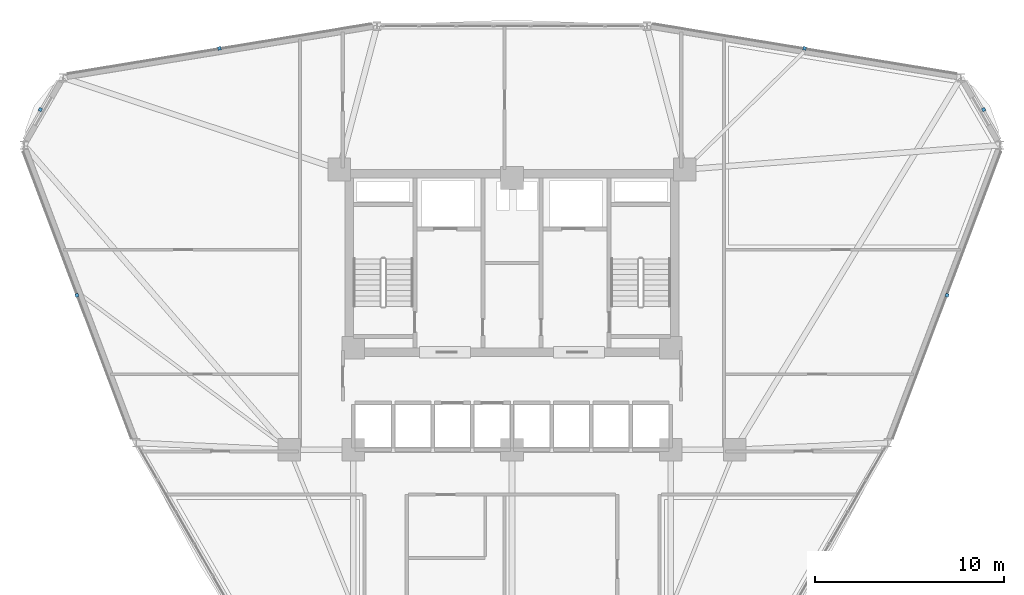
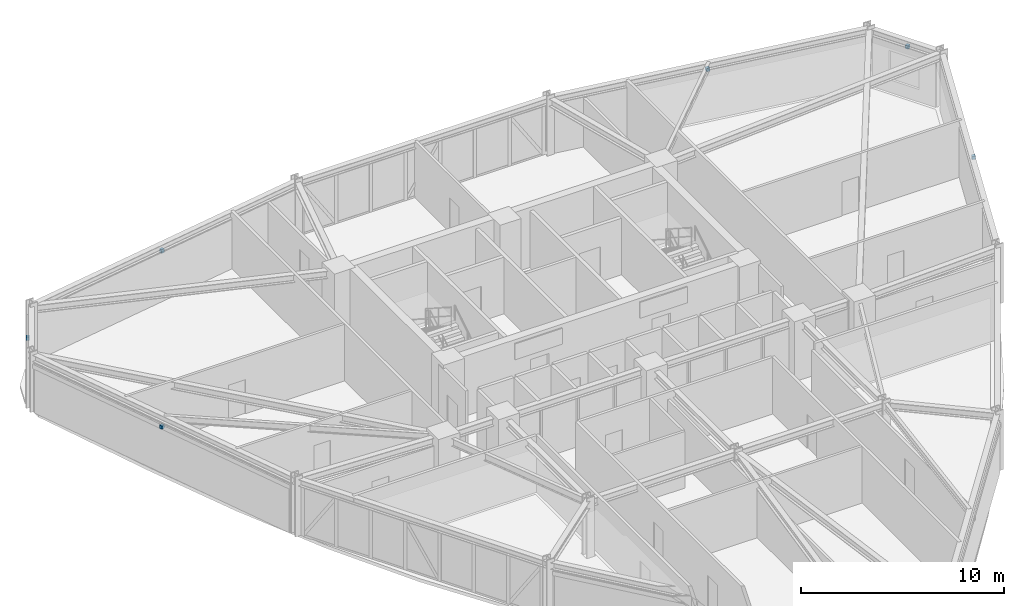
# One storey, part 15 of 17: 6 discrete accessories.
"""IFC4 building model written with IfcOpenShell, lengths in metres."""

import ifcopenshell
import ifcopenshell.guid

model = None  # the IFC model being written
_history = None  # IfcOwnerHistory: only IFC2X3 demands one
_inside = {}  # id of a spatial element -> (the spatial element, [elements in it])
_under = {}  # id of a project, library or spatial element -> (it, [spatial elements below it])
_declared = {}  # id of a project -> (the project, [libraries it declares])
_typed = {}  # id of a type object -> (the type object, [elements of that type])
_made_of = {}  # id of a material, layer set ... -> (it, [elements and type objects made of it])


def new_model(schema):
    """Start an empty IFC model of exactly this schema.

    Asked for "IFC4X3", IfcOpenShell would pick the latest addendum, in which some entities
    have other attributes; the version numbers below select the first issue.
    IFC2X3 requires an IfcOwnerHistory on every rooted entity: one is made here for all.
    """
    global model, _history
    if schema == "IFC4X3":
        model = ifcopenshell.file(schema_version=(4, 3, 0, 0))
    else:
        model = ifcopenshell.file(schema=schema)
    _inside.clear()
    _under.clear()
    _declared.clear()
    _typed.clear()
    _made_of.clear()
    _history = None
    if model.schema == "IFC2X3":
        org = make("IfcOrganization", Name="unknown")
        user = make(
            "IfcPersonAndOrganization",
            ThePerson=make("IfcPerson", FamilyName="unknown"),
            TheOrganization=org,
        )
        app = make(
            "IfcApplication",
            ApplicationDeveloper=org,
            Version="unknown",
            ApplicationFullName="unknown",
            ApplicationIdentifier="unknown",
        )
        _history = make(
            "IfcOwnerHistory",
            OwningUser=user,
            OwningApplication=app,
            ChangeAction="ADDED",
            CreationDate=0,
        )
    return model


def make(cls, **values):
    """One entity of the class cls with the attributes given. An attribute that is None is left unset."""
    return model.create_entity(
        cls, **{name: value for name, value in values.items() if value is not None}
    )


def rooted(cls, **values):
    """An entity with a GlobalId (a new one), such as an element, a storey or a relation."""
    return make(cls, GlobalId=ifcopenshell.guid.new(), OwnerHistory=_history, **values)


def si_unit(unit_type, name, prefix=None):
    """IfcSIUnit, for example si_unit("LENGTHUNIT", "METRE", prefix="MILLI")."""
    return make("IfcSIUnit", UnitType=unit_type, Prefix=prefix, Name=name)


def derived_unit(unit_type, elements):
    """IfcDerivedUnit: a product of units, each with its exponent."""
    return make(
        "IfcDerivedUnit",
        Elements=[
            make("IfcDerivedUnitElement", Unit=unit, Exponent=power)
            for unit, power in elements
        ],
        UnitType=unit_type,
    )


def assignment(units):
    """IfcUnitAssignment: the units of a project."""
    return None if units is None else make("IfcUnitAssignment", Units=units)


def point(xyz):
    """IfcCartesianPoint."""
    return None if xyz is None else make("IfcCartesianPoint", Coordinates=xyz)


def direction(xyz):
    """IfcDirection."""
    return None if xyz is None else make("IfcDirection", DirectionRatios=xyz)


def frame(location, z_axis=None, x_axis=None):
    """IfcAxis2Placement3D, a coordinate frame: its origin and axes. An axis left out is left unset."""
    return make(
        "IfcAxis2Placement3D",
        Location=point(location),
        Axis=direction(z_axis),
        RefDirection=direction(x_axis),
    )


def frame_2d(location, x_axis=None):
    """IfcAxis2Placement2D, a coordinate frame in the plane: its origin and x axis."""
    return make(
        "IfcAxis2Placement2D", Location=point(location), RefDirection=direction(x_axis)
    )


def origin():
    """The frame at (0, 0, 0) with its axes left unset."""
    return frame((0.0, 0.0, 0.0))


def origin_2d():
    """The frame at (0, 0) in the plane with its x axis left unset."""
    return frame_2d((0.0, 0.0))


def place(relative_to, where):
    """IfcLocalPlacement: puts the frame where relative to a parent placement (None: the world)."""
    return make(
        "IfcLocalPlacement", PlacementRelTo=relative_to, RelativePlacement=where
    )


def context(
    kind, dimensions, precision=None, world=None, true_north=None, identifier=None
):
    """IfcGeometricRepresentationContext, for example the 3D "Model" context."""
    return make(
        "IfcGeometricRepresentationContext",
        ContextIdentifier=identifier,
        ContextType=kind,
        CoordinateSpaceDimension=dimensions,
        Precision=precision,
        WorldCoordinateSystem=world,
        TrueNorth=true_north,
    )


def subcontext(parent, identifier, kind, view, scale=None):
    """IfcGeometricRepresentationSubContext, for example "Body" below "Model"."""
    return make(
        "IfcGeometricRepresentationSubContext",
        ContextIdentifier=identifier,
        ContextType=kind,
        ParentContext=parent,
        TargetScale=scale,
        TargetView=view,
    )


def project(units=None, contexts=None):
    """IfcProject with its units and contexts."""
    return rooted(
        "IfcProject",
        Name="project",
        RepresentationContexts=contexts,
        UnitsInContext=assignment(units),
    )


def spatial(cls, under=None, at=None, **own):
    """A site, building, storey or space (cls), placed at a placement, below another one or the project."""
    s = rooted(cls, ObjectPlacement=at, **own)
    if under is not None:
        _under.setdefault(under.id(), (under, []))[1].append(s)
    return s


def profile(cls, at=None, kind="AREA", **sizes):
    """A parametric profile (cls). Its sizes go by their IFC names, for example OverallWidth=200.0."""
    return make(cls, ProfileType=kind, Position=at, **sizes)


def rectangle(**sizes):
    """IfcRectangleProfileDef."""
    return profile("IfcRectangleProfileDef", **sizes)


def extrude(swept, where, along, depth):
    """IfcExtrudedAreaSolid: the profile swept, set in the frame where, extruded along a direction by depth."""
    return make(
        "IfcExtrudedAreaSolid",
        SweptArea=swept,
        Position=where,
        ExtrudedDirection=direction(along),
        Depth=depth,
    )


def shape(context_of_items, identifier, shape_type, items):
    """IfcShapeRepresentation: the items that make up one representation, for example the "Body"."""
    return make(
        "IfcShapeRepresentation",
        ContextOfItems=context_of_items,
        RepresentationIdentifier=identifier,
        RepresentationType=shape_type,
        Items=items,
    )


def source(mapping_origin, context_of_items, identifier, shape_type, items):
    """IfcRepresentationMap: a shape defined once, which mapped items show again and again."""
    return make(
        "IfcRepresentationMap",
        MappingOrigin=mapping_origin,
        MappedRepresentation=shape(context_of_items, identifier, shape_type, items),
    )


def transform(
    local_origin,
    x_axis=None,
    y_axis=None,
    z_axis=None,
    scale=None,
    scale2=None,
    scale3=None,
    uniform=True,
):
    """IfcCartesianTransformationOperator3D, or its non-uniform kind. x_axis, y_axis, z_axis: its Axis1, 2, 3."""
    if uniform:
        return make(
            "IfcCartesianTransformationOperator3D",
            Axis1=direction(x_axis),
            Axis2=direction(y_axis),
            LocalOrigin=point(local_origin),
            Scale=scale,
            Axis3=direction(z_axis),
        )
    return make(
        "IfcCartesianTransformationOperator3DnonUniform",
        Axis1=direction(x_axis),
        Axis2=direction(y_axis),
        LocalOrigin=point(local_origin),
        Scale=scale,
        Axis3=direction(z_axis),
        Scale2=scale2,
        Scale3=scale3,
    )


def mapped(mapping_source, mapping_target):
    """IfcMappedItem: shows the shape of a source again, moved by a transform."""
    return make(
        "IfcMappedItem", MappingSource=mapping_source, MappingTarget=mapping_target
    )


def material(Name=None, Category=None):
    """IfcMaterial."""
    return make("IfcMaterial", Name=Name, Category=Category)


def made_of(thing, what):
    """Note that an element or type object is made of a material, layer set ...; save() writes the relation."""
    if what is not None:
        _made_of.setdefault(what.id(), (what, []))[1].append(thing)
    return thing


def type_object(cls, material=None, **own):
    """A type object (cls), such as IfcWallType, which elements share."""
    return made_of(rooted(cls, **own), material)


def element(
    cls,
    number,
    at=None,
    inside=None,
    cuts=None,
    type_object=None,
    material=None,
    context=None,
    identifier="Body",
    shape_type=None,
    held_by="IfcProductDefinitionShape",
    body=None,
    shapes=None,
    **own,
):
    """One element of the class cls, such as IfcWall. Its Tag is "e" and its number.

    at: its placement. inside: the storey or other place that contains it. cuts: it is an
    opening in that element (IfcRelVoidsElement). A single representation is given by context,
    identifier, shape_type and body (its items); several are given by shapes. held_by: the class
    of the entity that holds the representations. save() writes the other relations.
    """
    e = rooted(cls, Tag="e%d" % number, ObjectPlacement=at, **own)
    if body is not None:
        shapes = [shape(context, identifier, shape_type, body)]
    if shapes is not None:
        e.Representation = make(held_by, Representations=shapes)
    if inside is not None:
        _inside.setdefault(inside.id(), (inside, []))[1].append(e)
    if cuts is not None:
        rooted(
            "IfcRelVoidsElement", RelatingBuildingElement=cuts, RelatedOpeningElement=e
        )
    if type_object is not None:
        _typed.setdefault(type_object.id(), (type_object, []))[1].append(e)
    return made_of(e, material)


def aggregate(whole, parts):
    """IfcRelAggregates: a whole, such as a stair, and the parts it consists of."""
    return rooted("IfcRelAggregates", RelatingObject=whole, RelatedObjects=parts)


def save(model, path):
    """Write the relations noted so far, then the file.

    IfcRelAggregates (storeys below a building ...), IfcRelContainedInSpatialStructure (elements
    in a storey), IfcRelDefinesByType, IfcRelAssociatesMaterial and IfcRelDeclares: one each for
    every whole, place, type object, material and project.
    """
    for whole, parts in _under.values():
        aggregate(whole, parts)
    for where, things in _inside.values():
        rooted(
            "IfcRelContainedInSpatialStructure",
            RelatedElements=things,
            RelatingStructure=where,
        )
    for kind, things in _typed.values():
        rooted("IfcRelDefinesByType", RelatedObjects=things, RelatingType=kind)
    for what, things in _made_of.values():
        rooted("IfcRelAssociatesMaterial", RelatedObjects=things, RelatingMaterial=what)
    for by, libraries in _declared.values():
        rooted("IfcRelDeclares", RelatingContext=by, RelatedDefinitions=libraries)
    model.write(path)


model = new_model("IFC4")

# Units and contexts
model_context = context("Model", 3, precision=1e-05, world=origin(), true_north=direction((0.0, 1.0)))
body_context = subcontext(model_context, "Body", "Model", "MODEL_VIEW")
ifc_project = project(units=[si_unit("LENGTHUNIT", "METRE"), si_unit("AREAUNIT", "SQUARE_METRE"), si_unit("VOLUMEUNIT", "CUBIC_METRE"), si_unit("PLANEANGLEUNIT", "RADIAN"), si_unit("MASSUNIT", "GRAM", prefix="KILO"), derived_unit("THERMALTRANSMITTANCEUNIT", [(si_unit("POWERUNIT", "WATT"), 1), (si_unit("LENGTHUNIT", "METRE"), -2), (si_unit("THERMODYNAMICTEMPERATUREUNIT", "KELVIN"), -1)])], contexts=[model_context])

# Site, building, storey
site_placement = place(None, origin())
site = spatial("IfcSite", under=ifc_project, at=site_placement, CompositionType="ELEMENT")
building_placement = place(site_placement, origin())
building = spatial("IfcBuilding", under=site, at=building_placement, Name="Korsvarv Bourse and Concert Hall", CompositionType="ELEMENT")
storey_placement = place(building_placement, frame((0.0, 0.0, 102.60009765625)))
storey = spatial("IfcBuildingStorey", under=building, at=storey_placement, Name="L25", CompositionType="ELEMENT", Elevation=102.60009765625)

# Discrete accessories
ifc_material = material(Name="Stainless Steel S355 facade outrigger bracket", Category="steel")
discrete_accessory_type = type_object("IfcDiscreteAccessoryType", Name="ACC-BRK-1", PredefinedType="BRACKET", material=ifc_material)
shared_shape = source(origin(), body_context, "Body", "SweptSolid", [
    extrude(rectangle(XDim=0.179931640625, YDim=0.179931640625, at=origin_2d()), origin(), (0.0, 0.0, 1.0), 0.199951171875),
])
for number, where, z_axis, x_axis, name in (
    (1, (60.9814453125, 50.423095703125, 2.73974609375), (0.0, 0.0, 1.0), (-0.5, 0.866025403784, 0.0), "L25 terracotta sunshade bracket EW-L25-B01"),
    (2, (51.495361328125, 53.6630859375, 2.73974609375), (0.0, 0.0, 1.0), (-0.986770965572, 0.162120515372, 0.0), "L25 terracotta sunshade bracket EW-L25-B02"),
    (3, (20.504638671875, 53.6630859375, 2.68994140625), (0.0, 0.0, 1.0), (-0.986770965572, -0.162120515372, 0.0), "L25 terracotta sunshade bracket EW-L25-B04"),
    (4, (11.0185546875, 50.423095703125, 2.73974609375), (0.0, 0.0, 1.0), (-0.5, -0.866025403784, 0.0), "L25 terracotta sunshade bracket EW-L25-B05"),
    (5, (12.955810546875, 40.587890625, 2.68994140625), (0.0, 0.0, 1.0), (0.352984997999, -0.935628981588, 0.0), "L25 terracotta sunshade bracket EW-L25-B06"),
    (6, (59.044189453125, 40.587890625, 2.73974609375), (0.0, 0.0, 1.0), (0.352984997999, 0.935628981588, 0.0), "L25 terracotta sunshade bracket EW-L25-B12"),
):
    element("IfcDiscreteAccessory", number, at=place(storey_placement, frame(where, z_axis=z_axis, x_axis=x_axis)), inside=storey, type_object=discrete_accessory_type, Name=name, PredefinedType="BRACKET", context=body_context, shape_type="MappedRepresentation", body=[
        mapped(shared_shape, transform((0.0, 0.0, 0.0), scale=1.0)),
    ])

save(model, "model.ifc")
